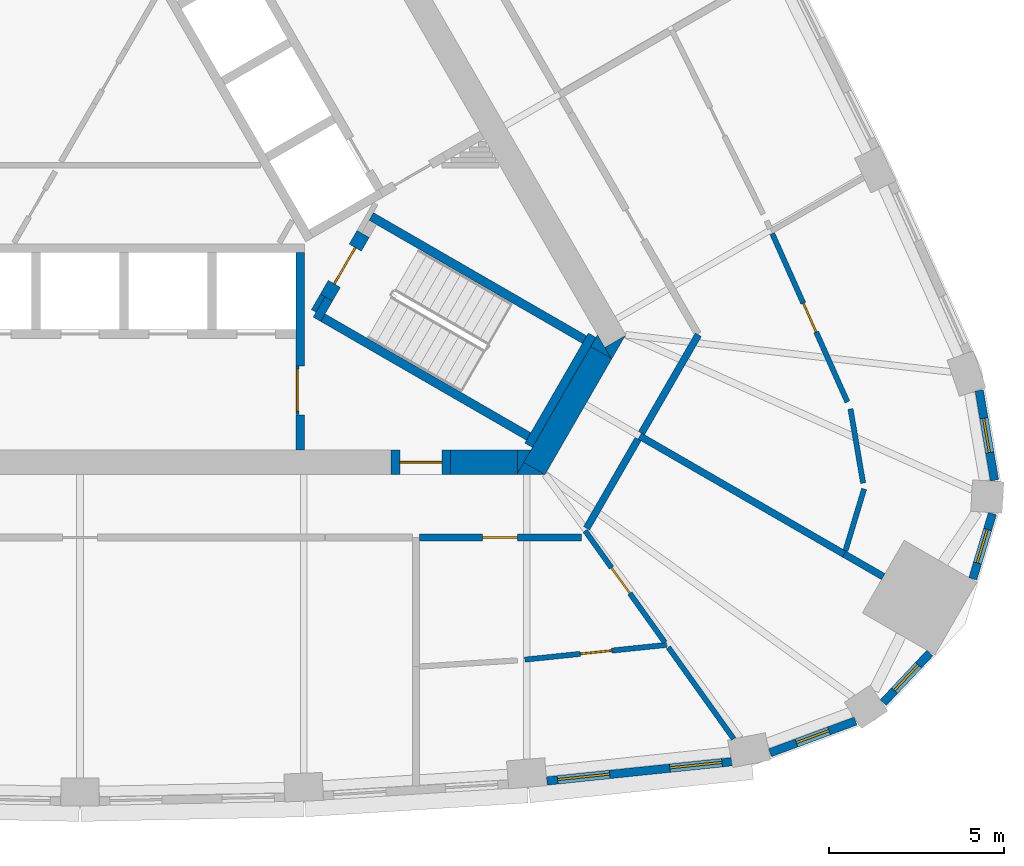
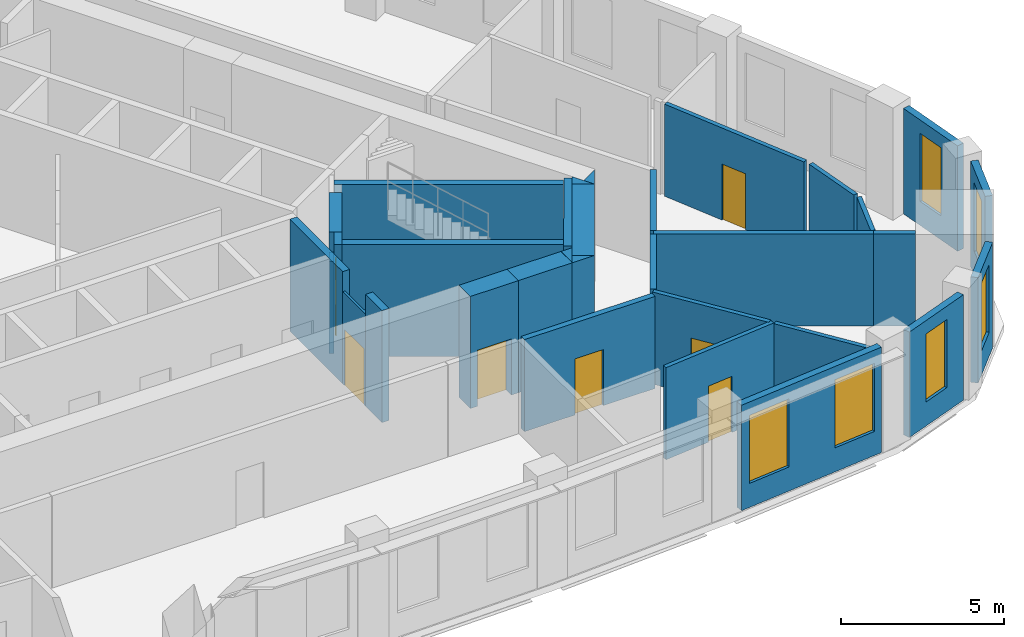
# One storey, part 6 of 10: 32 walls, 7 doors, 6 windows, 13 openings.
"""IFC4 building model written with IfcOpenShell, lengths in metres."""

from ifc_helpers import new_model, si_unit, direction, frame, frame_2d, origin, place, context, subcontext, project, spatial, polyline, rectangle, outline, extrude, material, layer, layer_set, type_object, element, fill, save


model = new_model("IFC4")

# Units and contexts
model_context = context("Model", 3, precision=1e-05, world=origin(), true_north=direction((0.0, 1.0)))
body_context = subcontext(model_context, "Body", "Model", "MODEL_VIEW")
ifc_project = project(units=[si_unit("LENGTHUNIT", "METRE"), si_unit("AREAUNIT", "SQUARE_METRE"), si_unit("VOLUMEUNIT", "CUBIC_METRE"), si_unit("PLANEANGLEUNIT", "RADIAN"), si_unit("MASSUNIT", "GRAM", prefix="KILO")], contexts=[model_context])

# Site, building, storey
site_placement = place(None, origin())
site = spatial("IfcSite", under=ifc_project, at=site_placement, CompositionType="ELEMENT")
building_placement = place(site_placement, origin())
building = spatial("IfcBuilding", under=site, at=building_placement, Name="Mestral Congress Tower", CompositionType="ELEMENT")
storey_placement = place(building_placement, frame((0.0, 0.0, 247.800048828125)))
storey = spatial("IfcBuildingStorey", under=building, at=storey_placement, Name="L58", CompositionType="ELEMENT", Elevation=247.800048828125)

# Wall
ifc_material_1 = material(Name="Fire-rated board partition")
ifc_layer_1 = layer(ifc_material_1, 0.14990234375)
ifc_layer_set_1 = layer_set([ifc_layer_1], Name="Fire-rated board partition")
wall_type_1 = type_object("IfcWallType", Name="Core partition 150", PredefinedType="PARTITIONING", material=ifc_layer_set_1)
wall_1_placement = place(storey_placement, frame((6.94482421875, -5.22216796875, 0.0), z_axis=(0.0, 0.0, 1.0), x_axis=(-0.499818422106, -0.866130212453, 0.0)))
element("IfcWall", 1, at=wall_1_placement, inside=storey, type_object=wall_type_1, Name="L58 core wall", PredefinedType="PARTITIONING", context=body_context, shape_type="SweptSolid", body=[
    extrude(rectangle(XDim=0.513916015625, YDim=0.14990234375, at=frame_2d((0.2568359375, 0.0))), origin(), (0.0, 0.0, 1.0), 3.449951171875),
])

# Wall, opening, door
ifc_layer_2 = layer(ifc_material_1, 0.090087890625)
ifc_layer_set_2 = layer_set([ifc_layer_2], Name="Fire-rated board partition")
wall_type_2 = type_object("IfcWallType", Name="Core partition 150 door-wall 90", PredefinedType="PARTITIONING", material=ifc_layer_set_2)
wall_2_placement = place(storey_placement, frame((6.219970703125, -7.23681640625, 0.0), z_axis=(0.0, 0.0, 1.0), x_axis=(0.0, -1.0, 0.0)))
wall_2 = element("IfcWall", 2, at=wall_2_placement, inside=storey, type_object=wall_type_2, Name="L58 door wall", PredefinedType="PARTITIONING", context=body_context, shape_type="SweptSolid", body=[
    extrude(rectangle(XDim=1.400146484375, YDim=0.090087890625, at=frame_2d((0.7001953125, 0.0))), origin(), (0.0, 0.0, 1.0), 3.449951171875),
])
opening_1_placement = place(wall_2_placement, frame((0.10009765625, 0.0, 0.0)))
opening_1 = element("IfcOpeningElement", 3, at=opening_1_placement, cuts=wall_2, Name="Opening LB0-WL1", PredefinedType="OPENING", context=body_context, shape_type="SweptSolid", body=[
    extrude(rectangle(XDim=1.199951171875, YDim=2.10009765625, at=frame_2d((0.60009765625, 1.050048828125))), frame((0.0, 0.054931640625, 0.0), z_axis=(0.0, -1.0, 0.0), x_axis=(1.0, 0.0, 0.0)), (0.0, 0.0, 1.0), 0.110107421875),
])
ifc_material_2 = material(Name="Fire-rated steel door set", Category="steel")
door_type_1 = type_object("IfcDoorType", Name="Core door LB 1200x2100", OperationType="SINGLE_SWING_LEFT", PredefinedType="DOOR", material=ifc_material_2)
door_1_placement = place(opening_1_placement, origin())
door_1 = element("IfcDoor", 4, at=door_1_placement, inside=storey, type_object=door_type_1, Name="Door LB0-WL1", OperationType="SINGLE_SWING_LEFT", OverallHeight=2.10009765625, OverallWidth=1.199951171875, PredefinedType="DOOR", context=body_context, shape_type="SweptSolid", body=[
    extrude(rectangle(XDim=1.199951171875, YDim=2.10009765625, at=frame_2d((0.60009765625, 1.050048828125))), frame((0.0, 0.02490234375, 0.0), z_axis=(0.0, -1.0, 0.0), x_axis=(1.0, 0.0, 0.0)), (0.0, 0.0, 1.0), 0.050048828125),
])
fill(opening_1, door_1)

# Walls
ifc_material_3 = material(Name="Concrete C60/75", Category="concrete")
ifc_layer_3 = layer(ifc_material_3, 0.699951171875)
ifc_layer_set_3 = layer_set([ifc_layer_3], Name="Concrete C60/75")
wall_type_3 = type_object("IfcWallType", Name="Core wall RC 700", PredefinedType="SOLIDWALL", material=ifc_layer_set_3)
placement = place(storey_placement, origin())
element("IfcWall", 5, at=placement, inside=storey, type_object=wall_type_3, Name="L58 core wall", PredefinedType="SOLIDWALL", context=body_context, shape_type="SweptSolid", body=[
    extrude(outline(polyline([(15.213134765625, -7.050048828125), (15.019287109375, -6.714111328125), (15.60107421875, -6.3779296875), (15.213134765625, -7.050048828125)])), origin(), (0.0, 0.0, 1.0), 4.199951171875),
])
wall_4_placement = place(storey_placement, frame((13.002685546875, -10.1787109375, 0.0), z_axis=(0.0, 0.0, 1.0), x_axis=(0.499972675833, 0.866041178825, 0.0)))
element("IfcWall", 6, at=wall_4_placement, inside=storey, type_object=wall_type_3, Name="L58 core wall", PredefinedType="SOLIDWALL", context=body_context, shape_type="SweptSolid", body=[
    extrude(rectangle(XDim=3.828857421875, YDim=0.699951171875, at=frame_2d((1.91455078125, 0.0))), origin(), (0.0, 0.0, 1.0), 4.199951171875),
])
element("IfcWall", 7, at=placement, inside=storey, type_object=wall_type_3, Name="L58 core wall", PredefinedType="SOLIDWALL", context=body_context, shape_type="SweptSolid", body=[
    extrude(outline(polyline([(12.49951171875, -10.35009765625), (12.698486328125, -10.00537109375), (13.295654296875, -10.35009765625), (12.49951171875, -10.35009765625)])), origin(), (0.0, 0.0, 1.0), 4.199951171875),
])
element("IfcWall", 8, at=placement, inside=storey, type_object=wall_type_3, Name="L58 core wall", PredefinedType="SOLIDWALL", context=body_context, shape_type="SweptSolid", body=[
    extrude(outline(polyline([(14.80908203125, -6.35009765625), (15.197265625, -7.022216796875), (14.614990234375, -6.68603515625), (14.80908203125, -6.35009765625)])), origin(), (0.0, 0.0, 1.0), 4.199951171875),
])
wall_7_placement = place(storey_placement, frame((10.6044921875, -10.0, 0.0), z_axis=(0.0, 0.0, 1.0), x_axis=(1.0, 0.0, 0.0)))
element("IfcWall", 9, at=wall_7_placement, inside=storey, type_object=wall_type_3, Name="L58 core wall", PredefinedType="SOLIDWALL", context=body_context, shape_type="SweptSolid", body=[
    extrude(rectangle(XDim=1.909423828125, YDim=0.699951171875, at=frame_2d((0.95458984375, 0.0))), origin(), (0.0, 0.0, 1.0), 4.199951171875),
])
element("IfcWall", 10, at=placement, inside=storey, type_object=wall_type_3, Name="L58 core wall", PredefinedType="SOLIDWALL", context=body_context, shape_type="SweptSolid", body=[
    extrude(outline(polyline([(12.90380859375, -9.64990234375), (12.515869140625, -10.322021484375), (12.515869140625, -9.64990234375), (12.90380859375, -9.64990234375)])), origin(), (0.0, 0.0, 1.0), 4.199951171875),
])

# Wall, opening, door
wall_9_placement = place(storey_placement, frame((10.6044921875, -10.0, 0.0), z_axis=(0.0, 0.0, 1.0), x_axis=(-1.0, 0.0, 0.0)))
wall_9 = element("IfcWall", 11, at=wall_9_placement, inside=storey, type_object=wall_type_3, Name="L58 door wall", PredefinedType="SOLIDWALL", context=body_context, shape_type="SweptSolid", body=[
    extrude(rectangle(XDim=1.699951171875, YDim=0.699951171875, at=frame_2d((0.85009765625, 0.0))), origin(), (0.0, 0.0, 1.0), 4.199951171875),
])
opening_2_placement = place(wall_9_placement, frame((0.25, 0.0, 0.0)))
opening_2 = element("IfcOpeningElement", 12, at=opening_2_placement, cuts=wall_9, Name="Opening XD1", PredefinedType="OPENING", context=body_context, shape_type="SweptSolid", body=[
    extrude(rectangle(XDim=1.199951171875, YDim=2.10009765625, at=frame_2d((0.60009765625, 1.050048828125))), frame((0.0, 0.35986328125, 0.0), z_axis=(0.0, -1.0, 0.0), x_axis=(1.0, 0.0, 0.0)), (0.0, 0.0, 1.0), 0.719970703125),
])
door_type_2 = type_object("IfcDoorType", Name="Core door XD 1200x2100", OperationType="SINGLE_SWING_LEFT", PredefinedType="DOOR", material=ifc_material_2)
door_2_placement = place(opening_2_placement, origin())
door_2 = element("IfcDoor", 13, at=door_2_placement, inside=storey, type_object=door_type_2, Name="Door XD1", OperationType="SINGLE_SWING_LEFT", OverallHeight=2.10009765625, OverallWidth=1.199951171875, PredefinedType="DOOR", context=body_context, shape_type="SweptSolid", body=[
    extrude(rectangle(XDim=1.199951171875, YDim=2.10009765625, at=frame_2d((0.60009765625, 1.050048828125))), frame((0.0, 0.02490234375, 0.0), z_axis=(0.0, -1.0, 0.0), x_axis=(1.0, 0.0, 0.0)), (0.0, 0.0, 1.0), 0.050048828125),
])
fill(opening_2, door_2)

# Wall, openings, windows
ifc_material_4 = material(Name="Precast concrete C40/50 with limestone facing", Category="masonry")
ifc_layer_4 = layer(ifc_material_4, 0.239990234375)
ifc_layer_set_4 = layer_set([ifc_layer_4], Name="Precast concrete C40/50 with limestone facing")
wall_type_4 = type_object("IfcWallType", Name="Facade stone wall 240", PredefinedType="SOLIDWALL", material=ifc_layer_set_4)
wall_10_placement = place(storey_placement, frame((13.362060546875, -19.12109375, 0.0), z_axis=(0.0, 0.0, 1.0), x_axis=(0.994621961215, 0.103571976272, 0.0)))
wall_10 = element("IfcWall", 14, at=wall_10_placement, inside=storey, type_object=wall_type_4, Name="Facade wall F0-05", PredefinedType="SOLIDWALL", context=body_context, shape_type="SweptSolid", body=[
    extrude(rectangle(XDim=5.310791015625, YDim=0.239990234375, at=frame_2d((2.6552734375, 0.0))), origin(), (0.0, 0.0, 1.0), 3.949951171875),
])
opening_3_placement = place(wall_10_placement, frame((0.306396484375, 0.0, 0.89990234375)))
opening_3 = element("IfcOpeningElement", 15, at=opening_3_placement, cuts=wall_10, Name="Opening W4", PredefinedType="OPENING", context=body_context, shape_type="SweptSolid", body=[
    extrude(rectangle(XDim=1.5, YDim=2.550048828125, at=frame_2d((0.75, 1.27490234375))), frame((0.0, 0.1298828125, 0.0), z_axis=(0.0, -1.0, 0.0), x_axis=(1.0, 0.0, 0.0)), (0.0, 0.0, 1.0), 0.260009765625),
])
opening_4_placement = place(wall_10_placement, frame((3.539306640625, 0.0, 0.89990234375)))
opening_4 = element("IfcOpeningElement", 16, at=opening_4_placement, cuts=wall_10, Name="Opening W4", PredefinedType="OPENING", context=body_context, shape_type="SweptSolid", body=[
    extrude(rectangle(XDim=1.5, YDim=2.550048828125, at=frame_2d((0.75, 1.27490234375))), frame((0.0, 0.1298828125, 0.0), z_axis=(0.0, -1.0, 0.0), x_axis=(1.0, 0.0, 0.0)), (0.0, 0.0, 1.0), 0.260009765625),
])
ifc_material_5 = material(Name="Clear low-emissivity double glazing", Category="glass")
window_type_1 = type_object("IfcWindowType", Name="Facade punched window 1500 x 2550 sill 900", PartitioningType="SINGLE_PANEL", PredefinedType="WINDOW", material=ifc_material_5)
window_1_placement = place(opening_3_placement, origin())
window_1 = element("IfcWindow", 17, at=window_1_placement, inside=storey, type_object=window_type_1, Name="Window F0-05a", OverallHeight=2.550048828125, OverallWidth=1.5, PartitioningType="SINGLE_PANEL", PredefinedType="WINDOW", context=body_context, shape_type="SweptSolid", body=[
    extrude(rectangle(XDim=1.5, YDim=2.550048828125, at=frame_2d((0.75, 1.27490234375))), frame((0.0, 0.0400390625, 0.0), z_axis=(0.0, -1.0, 0.0), x_axis=(1.0, 0.0, 0.0)), (0.0, 0.0, 1.0), 0.06005859375),
])
fill(opening_3, window_1)
window_2_placement = place(opening_4_placement, origin())
window_2 = element("IfcWindow", 18, at=window_2_placement, inside=storey, type_object=window_type_1, Name="Window F0-05b", OverallHeight=2.550048828125, OverallWidth=1.5, PartitioningType="SINGLE_PANEL", PredefinedType="WINDOW", context=body_context, shape_type="SweptSolid", body=[
    extrude(rectangle(XDim=1.5, YDim=2.550048828125, at=frame_2d((0.75, 1.27490234375))), frame((0.0, 0.0400390625, 0.0), z_axis=(0.0, -1.0, 0.0), x_axis=(1.0, 0.0, 0.0)), (0.0, 0.0, 1.0), 0.06005859375),
])
fill(opening_4, window_2)

# Wall, opening, window
wall_11_placement = place(storey_placement, frame((19.747802734375, -18.31396484375, 0.0), z_axis=(0.0, 0.0, 1.0), x_axis=(0.937569171184, 0.347798863203, 0.0)))
wall_11 = element("IfcWall", 19, at=wall_11_placement, inside=storey, type_object=wall_type_4, Name="Facade wall K0-0", PredefinedType="SOLIDWALL", context=body_context, shape_type="SweptSolid", body=[
    extrude(rectangle(XDim=2.609130859375, YDim=0.239990234375, at=frame_2d((1.3046875, 0.0))), origin(), (0.0, 0.0, 1.0), 3.949951171875),
])
opening_5_placement = place(wall_11_placement, frame((0.8046875, 0.0, 0.89990234375)))
opening_5 = element("IfcOpeningElement", 20, at=opening_5_placement, cuts=wall_11, Name="Opening W5", PredefinedType="OPENING", context=body_context, shape_type="SweptSolid", body=[
    extrude(rectangle(XDim=1.0, YDim=2.550048828125, at=frame_2d((0.5, 1.27490234375))), frame((0.0, 0.1298828125, 0.0), z_axis=(0.0, -1.0, 0.0), x_axis=(1.0, 0.0, 0.0)), (0.0, 0.0, 1.0), 0.260009765625),
])
window_type_2 = type_object("IfcWindowType", Name="Facade punched window 1000 x 2550 sill 900", PartitioningType="SINGLE_PANEL", PredefinedType="WINDOW", material=ifc_material_5)
window_3_placement = place(opening_5_placement, origin())
window_3 = element("IfcWindow", 21, at=window_3_placement, inside=storey, type_object=window_type_2, Name="Window K0-0", OverallHeight=2.550048828125, OverallWidth=1.0, PartitioningType="SINGLE_PANEL", PredefinedType="WINDOW", context=body_context, shape_type="SweptSolid", body=[
    extrude(rectangle(XDim=1.0, YDim=2.550048828125, at=frame_2d((0.5, 1.27490234375))), frame((0.0, 0.0400390625, 0.0), z_axis=(0.0, -1.0, 0.0), x_axis=(1.0, 0.0, 0.0)), (0.0, 0.0, 1.0), 0.06005859375),
])
fill(opening_5, window_3)

wall_12_placement = place(storey_placement, frame((22.989013671875, -16.87890625, 0.0), z_axis=(0.0, 0.0, 1.0), x_axis=(0.684770274166, 0.728758994194, 0.0)))
wall_12 = element("IfcWall", 22, at=wall_12_placement, inside=storey, type_object=wall_type_4, Name="Facade wall K0-1", PredefinedType="SOLIDWALL", context=body_context, shape_type="SweptSolid", body=[
    extrude(rectangle(XDim=1.947998046875, YDim=0.239990234375, at=frame_2d((0.97412109375, 0.0))), origin(), (0.0, 0.0, 1.0), 3.949951171875),
])
opening_6_placement = place(wall_12_placement, frame((0.47412109375, 0.0, 0.89990234375)))
opening_6 = element("IfcOpeningElement", 23, at=opening_6_placement, cuts=wall_12, Name="Opening W5", PredefinedType="OPENING", context=body_context, shape_type="SweptSolid", body=[
    extrude(rectangle(XDim=1.0, YDim=2.550048828125, at=frame_2d((0.5, 1.27490234375))), frame((0.0, 0.1298828125, 0.0), z_axis=(0.0, -1.0, 0.0), x_axis=(1.0, 0.0, 0.0)), (0.0, 0.0, 1.0), 0.260009765625),
])
window_4_placement = place(opening_6_placement, origin())
window_4 = element("IfcWindow", 24, at=window_4_placement, inside=storey, type_object=window_type_2, Name="Window K0-1", OverallHeight=2.550048828125, OverallWidth=1.0, PartitioningType="SINGLE_PANEL", PredefinedType="WINDOW", context=body_context, shape_type="SweptSolid", body=[
    extrude(rectangle(XDim=1.0, YDim=2.550048828125, at=frame_2d((0.5, 1.27490234375))), frame((0.0, 0.0400390625, 0.0), z_axis=(0.0, -1.0, 0.0), x_axis=(1.0, 0.0, 0.0)), (0.0, 0.0, 1.0), 0.06005859375),
])
fill(opening_6, window_4)

wall_13_placement = place(storey_placement, frame((25.5498046875, -13.334716796875, 0.0), z_axis=(0.0, 0.0, 1.0), x_axis=(0.288727209095, 0.957411405159, 0.0)))
wall_13 = element("IfcWall", 25, at=wall_13_placement, inside=storey, type_object=wall_type_4, Name="Facade wall K0-2", PredefinedType="SOLIDWALL", context=body_context, shape_type="SweptSolid", body=[
    extrude(rectangle(XDim=1.9482421875, YDim=0.239990234375, at=frame_2d((0.97412109375, 0.0))), origin(), (0.0, 0.0, 1.0), 3.949951171875),
])
opening_7_placement = place(wall_13_placement, frame((0.47412109375, 0.0, 0.89990234375)))
opening_7 = element("IfcOpeningElement", 26, at=opening_7_placement, cuts=wall_13, Name="Opening W5", PredefinedType="OPENING", context=body_context, shape_type="SweptSolid", body=[
    extrude(rectangle(XDim=1.0, YDim=2.550048828125, at=frame_2d((0.5, 1.27490234375))), frame((0.0, 0.1298828125, 0.0), z_axis=(0.0, -1.0, 0.0), x_axis=(1.0, 0.0, 0.0)), (0.0, 0.0, 1.0), 0.260009765625),
])
window_5_placement = place(opening_7_placement, origin())
window_5 = element("IfcWindow", 27, at=window_5_placement, inside=storey, type_object=window_type_2, Name="Window K0-2", OverallHeight=2.550048828125, OverallWidth=1.0, PartitioningType="SINGLE_PANEL", PredefinedType="WINDOW", context=body_context, shape_type="SweptSolid", body=[
    extrude(rectangle(XDim=1.0, YDim=2.550048828125, at=frame_2d((0.5, 1.27490234375))), frame((0.0, 0.0400390625, 0.0), z_axis=(0.0, -1.0, 0.0), x_axis=(1.0, 0.0, 0.0)), (0.0, 0.0, 1.0), 0.06005859375),
])
fill(opening_7, window_5)

wall_14_placement = place(storey_placement, frame((26.171630859375, -10.517333984375, 0.0), z_axis=(0.0, 0.0, 1.0), x_axis=(-0.167660055546, 0.985844869021, 0.0)))
wall_14 = element("IfcWall", 28, at=wall_14_placement, inside=storey, type_object=wall_type_4, Name="Facade wall K0-3", PredefinedType="SOLIDWALL", context=body_context, shape_type="SweptSolid", body=[
    extrude(rectangle(XDim=2.609375, YDim=0.239990234375, at=frame_2d((1.3046875, 0.0))), origin(), (0.0, 0.0, 1.0), 3.949951171875),
])
opening_8_placement = place(wall_14_placement, frame((0.8046875, 0.0, 0.89990234375)))
opening_8 = element("IfcOpeningElement", 29, at=opening_8_placement, cuts=wall_14, Name="Opening W5", PredefinedType="OPENING", context=body_context, shape_type="SweptSolid", body=[
    extrude(rectangle(XDim=1.0, YDim=2.550048828125, at=frame_2d((0.5, 1.27490234375))), frame((0.0, 0.1298828125, 0.0), z_axis=(0.0, -1.0, 0.0), x_axis=(1.0, 0.0, 0.0)), (0.0, 0.0, 1.0), 0.260009765625),
])
window_6_placement = place(opening_8_placement, origin())
window_6 = element("IfcWindow", 30, at=window_6_placement, inside=storey, type_object=window_type_2, Name="Window K0-3", OverallHeight=2.550048828125, OverallWidth=1.0, PartitioningType="SINGLE_PANEL", PredefinedType="WINDOW", context=body_context, shape_type="SweptSolid", body=[
    extrude(rectangle(XDim=1.0, YDim=2.550048828125, at=frame_2d((0.5, 1.27490234375))), frame((0.0, 0.0400390625, 0.0), z_axis=(0.0, -1.0, 0.0), x_axis=(1.0, 0.0, 0.0)), (0.0, 0.0, 1.0), 0.06005859375),
])
fill(opening_8, window_6)

# Wall, opening, door
ifc_material_6 = material(Name="Plasterboard partition on steel studs", Category="steel")
ifc_layer_5 = layer(ifc_material_6, 0.14990234375)
ifc_layer_set_5 = layer_set([ifc_layer_5], Name="Plasterboard partition on steel studs")
wall_type_5 = type_object("IfcWallType", Name="Office partition 150", PredefinedType="PARTITIONING", material=ifc_layer_set_5)
wall_15_placement = place(storey_placement, frame((16.788330078125, -15.225341796875, 0.0), z_axis=(0.0, 0.0, 1.0), x_axis=(-0.994622518406, -0.103566625322, 0.0)))
wall_15 = element("IfcWall", 31, at=wall_15_placement, inside=storey, type_object=wall_type_5, Name="Partition", PredefinedType="PARTITIONING", context=body_context, shape_type="SweptSolid", body=[
    extrude(rectangle(XDim=4.08056640625, YDim=0.14990234375, at=frame_2d((2.040283203125, 0.0))), origin(), (0.0, 0.0, 1.0), 3.449951171875),
])
opening_9_placement = place(wall_15_placement, frame((1.58056640625, 0.0, 0.0)))
opening_9 = element("IfcOpeningElement", 32, at=opening_9_placement, cuts=wall_15, Name="Opening O09-002", PredefinedType="OPENING", context=body_context, shape_type="SweptSolid", body=[
    extrude(rectangle(XDim=0.89990234375, YDim=2.10009765625, at=frame_2d((0.449951171875, 1.050048828125))), frame((0.0, 0.0849609375, 0.0), z_axis=(0.0, -1.0, 0.0), x_axis=(1.0, 0.0, 0.0)), (0.0, 0.0, 1.0), 0.169921875),
])
ifc_material_7 = material(Name="Timber door set", Category="wood")
door_type_3 = type_object("IfcDoorType", Name="Office door 900x2100", OperationType="SINGLE_SWING_LEFT", PredefinedType="DOOR", material=ifc_material_7)
door_3_placement = place(opening_9_placement, origin())
door_3 = element("IfcDoor", 33, at=door_3_placement, inside=storey, type_object=door_type_3, Name="Door O09-002", OperationType="SINGLE_SWING_LEFT", OverallHeight=2.10009765625, OverallWidth=0.89990234375, PredefinedType="DOOR", context=body_context, shape_type="SweptSolid", body=[
    extrude(rectangle(XDim=0.89990234375, YDim=2.10009765625, at=frame_2d((0.449951171875, 1.050048828125))), frame((0.0, 0.02490234375, 0.0), z_axis=(0.0, -1.0, 0.0), x_axis=(1.0, 0.0, 0.0)), (0.0, 0.0, 1.0), 0.050048828125),
])
fill(opening_9, door_3)

# Wall
wall_16_placement = place(storey_placement, frame((16.83837890625, -15.29541015625, 0.0), z_axis=(0.0, 0.0, 1.0), x_axis=(0.581015803238, -0.813892275666, 0.0)))
element("IfcWall", 34, at=wall_16_placement, inside=storey, type_object=wall_type_5, Name="Partition", PredefinedType="PARTITIONING", context=body_context, shape_type="SweptSolid", body=[
    extrude(rectangle(XDim=3.219482421875, YDim=0.14990234375, at=frame_2d((1.60986328125, 0.0))), origin(), (0.0, 0.0, 1.0), 3.449951171875),
])

# Wall, opening, door
wall_17_placement = place(storey_placement, frame((14.45703125, -11.959716796875, 0.0), z_axis=(0.0, 0.0, 1.0), x_axis=(0.581049944662, -0.81386790194, 0.0)))
wall_17 = element("IfcWall", 35, at=wall_17_placement, inside=storey, type_object=wall_type_5, Name="Partition", PredefinedType="PARTITIONING", context=body_context, shape_type="SweptSolid", body=[
    extrude(rectangle(XDim=3.926025390625, YDim=0.14990234375, at=frame_2d((1.962890625, 0.0))), origin(), (0.0, 0.0, 1.0), 3.449951171875),
])
opening_10_placement = place(wall_17_placement, frame((1.300048828125, 0.0, 0.0)))
opening_10 = element("IfcOpeningElement", 36, at=opening_10_placement, cuts=wall_17, Name="Opening O09-004", PredefinedType="OPENING", context=body_context, shape_type="SweptSolid", body=[
    extrude(rectangle(XDim=0.89990234375, YDim=2.10009765625, at=frame_2d((0.449951171875, 1.050048828125))), frame((0.0, 0.0849609375, 0.0), z_axis=(0.0, -1.0, 0.0), x_axis=(1.0, 0.0, 0.0)), (0.0, 0.0, 1.0), 0.169921875),
])
door_4_placement = place(opening_10_placement, origin())
door_4 = element("IfcDoor", 37, at=door_4_placement, inside=storey, type_object=door_type_3, Name="Door O09-004", OperationType="SINGLE_SWING_LEFT", OverallHeight=2.10009765625, OverallWidth=0.89990234375, PredefinedType="DOOR", context=body_context, shape_type="SweptSolid", body=[
    extrude(rectangle(XDim=0.89990234375, YDim=2.10009765625, at=frame_2d((0.449951171875, 1.050048828125))), frame((0.0, 0.02490234375, 0.0), z_axis=(0.0, -1.0, 0.0), x_axis=(1.0, 0.0, 0.0)), (0.0, 0.0, 1.0), 0.050048828125),
])
fill(opening_10, door_4)

# Walls
wall_18_placement = place(storey_placement, frame((21.90625, -12.531982421875, 0.0), z_axis=(0.0, 0.0, 1.0), x_axis=(0.288789848591, 0.957392512688, 0.0)))
element("IfcWall", 38, at=wall_18_placement, inside=storey, type_object=wall_type_5, Name="Partition", PredefinedType="PARTITIONING", context=body_context, shape_type="SweptSolid", body=[
    extrude(rectangle(XDim=1.84814453125, YDim=0.14990234375, at=frame_2d((0.924072265625, 0.0))), origin(), (0.0, 0.0, 1.0), 3.449951171875),
])
wall_19_placement = place(storey_placement, frame((22.41162109375, -10.5966796875, 0.0), z_axis=(0.0, 0.0, 1.0), x_axis=(-0.167612004459, 0.985853039738, 0.0)))
element("IfcWall", 39, at=wall_19_placement, inside=storey, type_object=wall_type_5, Name="Partition", PredefinedType="PARTITIONING", context=body_context, shape_type="SweptSolid", body=[
    extrude(rectangle(XDim=2.15576171875, YDim=0.14990234375, at=frame_2d((1.077880859375, 0.0))), origin(), (0.0, 0.0, 1.0), 3.449951171875),
])

# Wall, opening, door
wall_20_placement = place(storey_placement, frame((19.81103515625, -3.455078125, 0.0), z_axis=(0.0, 0.0, 1.0), x_axis=(0.407605393886, -0.913158169692, 0.0)))
wall_20 = element("IfcWall", 40, at=wall_20_placement, inside=storey, type_object=wall_type_5, Name="Partition", PredefinedType="PARTITIONING", context=body_context, shape_type="SweptSolid", body=[
    extrude(rectangle(XDim=5.279296875, YDim=0.14990234375, at=frame_2d((2.6396484375, 0.0))), origin(), (0.0, 0.0, 1.0), 3.449951171875),
])
opening_11_placement = place(wall_20_placement, frame((2.179443359375, 0.0, 0.0)))
opening_11 = element("IfcOpeningElement", 41, at=opening_11_placement, cuts=wall_20, Name="Opening O09-005", PredefinedType="OPENING", context=body_context, shape_type="SweptSolid", body=[
    extrude(rectangle(XDim=0.89990234375, YDim=2.10009765625, at=frame_2d((0.449951171875, 1.050048828125))), frame((0.0, 0.0849609375, 0.0), z_axis=(0.0, -1.0, 0.0), x_axis=(1.0, 0.0, 0.0)), (0.0, 0.0, 1.0), 0.169921875),
])
door_5_placement = place(opening_11_placement, origin())
door_5 = element("IfcDoor", 42, at=door_5_placement, inside=storey, type_object=door_type_3, Name="Door O09-005", OperationType="SINGLE_SWING_LEFT", OverallHeight=2.10009765625, OverallWidth=0.89990234375, PredefinedType="DOOR", context=body_context, shape_type="SweptSolid", body=[
    extrude(rectangle(XDim=0.89990234375, YDim=2.10009765625, at=frame_2d((0.449951171875, 1.050048828125))), frame((0.0, 0.02490234375, 0.0), z_axis=(0.0, -1.0, 0.0), x_axis=(1.0, 0.0, 0.0)), (0.0, 0.0, 1.0), 0.050048828125),
])
fill(opening_11, door_5)

ifc_material_8 = material(Name="Dense masonry wall, plastered", Category="masonry")
ifc_layer_6 = layer(ifc_material_8, 0.199951171875)
ifc_layer_set_6 = layer_set([ifc_layer_6], Name="Dense masonry wall, plastered")
wall_type_6 = type_object("IfcWallType", Name="Office tenancy wall 200", PredefinedType="PARTITIONING", material=ifc_layer_set_6)
wall_21_placement = place(storey_placement, frame((9.7197265625, -12.14990234375, 0.0), z_axis=(0.0, 0.0, 1.0), x_axis=(1.0, 0.0, 0.0)))
wall_21 = element("IfcWall", 43, at=wall_21_placement, inside=storey, type_object=wall_type_6, Name="Tenancy wall", PredefinedType="PARTITIONING", context=body_context, shape_type="SweptSolid", body=[
    extrude(rectangle(XDim=4.62744140625, YDim=0.199951171875, at=frame_2d((2.313720703125, 0.0))), origin(), (0.0, 0.0, 1.0), 3.449951171875),
])
opening_12_placement = place(wall_21_placement, frame((1.800048828125, 0.0, 0.0)))
opening_12 = element("IfcOpeningElement", 44, at=opening_12_placement, cuts=wall_21, Name="Opening O09-003", PredefinedType="OPENING", context=body_context, shape_type="SweptSolid", body=[
    extrude(rectangle(XDim=1.0, YDim=2.10009765625, at=frame_2d((0.5, 1.050048828125))), frame((0.0, 0.10986328125, 0.0), z_axis=(0.0, -1.0, 0.0), x_axis=(1.0, 0.0, 0.0)), (0.0, 0.0, 1.0), 0.219970703125),
])
ifc_material_9 = material(Name="Fire-rated timber door set", Category="wood")
door_type_4 = type_object("IfcDoorType", Name="Office tenancy entrance door 1000x2100", OperationType="SINGLE_SWING_LEFT", PredefinedType="DOOR", material=ifc_material_9)
door_6_placement = place(opening_12_placement, origin())
door_6 = element("IfcDoor", 45, at=door_6_placement, inside=storey, type_object=door_type_4, Name="Door O09-003", OperationType="SINGLE_SWING_LEFT", OverallHeight=2.10009765625, OverallWidth=1.0, PredefinedType="DOOR", context=body_context, shape_type="SweptSolid", body=[
    extrude(rectangle(XDim=1.0, YDim=2.10009765625, at=frame_2d((0.5, 1.050048828125))), frame((0.0, 0.02490234375, 0.0), z_axis=(0.0, -1.0, 0.0), x_axis=(1.0, 0.0, 0.0)), (0.0, 0.0, 1.0), 0.050048828125),
])
fill(opening_12, door_6)

# Walls
wall_22_placement = place(storey_placement, frame((21.873046875, -12.62841796875, 0.0), z_axis=(0.0, 0.0, 1.0), x_axis=(0.866052988967, -0.499952218018, 0.0)))
element("IfcWall", 46, at=wall_22_placement, inside=storey, type_object=wall_type_6, Name="Tenancy wall", PredefinedType="PARTITIONING", context=body_context, shape_type="SweptSolid", body=[
    extrude(rectangle(XDim=1.287841796875, YDim=0.199951171875, at=frame_2d((0.64404296875, 0.0))), origin(), (0.0, 0.0, 1.0), 3.449951171875),
])
wall_23_placement = place(storey_placement, frame((16.021484375, -9.25, 0.0), z_axis=(0.0, 0.0, 1.0), x_axis=(0.86602692059, -0.499997372806, 0.0)))
element("IfcWall", 47, at=wall_23_placement, inside=storey, type_object=wall_type_6, Name="Tenancy wall", PredefinedType="PARTITIONING", context=body_context, shape_type="SweptSolid", body=[
    extrude(rectangle(XDim=6.7646484375, YDim=0.199951171875, at=frame_2d((3.38232421875, 0.0))), origin(), (0.0, 0.0, 1.0), 3.449951171875),
])
wall_24_placement = place(storey_placement, frame((14.498291015625, -11.88818359375, 0.0), z_axis=(0.0, 0.0, 1.0), x_axis=(0.500006981563, 0.86602137294, 0.0)))
element("IfcWall", 48, at=wall_24_placement, inside=storey, type_object=wall_type_6, Name="Tenancy wall", PredefinedType="PARTITIONING", context=body_context, shape_type="SweptSolid", body=[
    extrude(rectangle(XDim=2.9462890625, YDim=0.199951171875, at=frame_2d((1.47314453125, 0.0))), origin(), (0.0, 0.0, 1.0), 3.449951171875),
])
wall_25_placement = place(storey_placement, frame((16.071533203125, -9.163330078125, 0.0), z_axis=(0.0, 0.0, 1.0), x_axis=(0.500010870188, 0.866019127788, 0.0)))
element("IfcWall", 49, at=wall_25_placement, inside=storey, type_object=wall_type_6, Name="Tenancy wall", PredefinedType="PARTITIONING", context=body_context, shape_type="SweptSolid", body=[
    extrude(rectangle(XDim=3.24853515625, YDim=0.199951171875, at=frame_2d((1.624267578125, 0.0))), origin(), (0.0, 0.0, 1.0), 3.449951171875),
])
ifc_layer_7 = layer(ifc_material_3, 0.25)
ifc_layer_set_7 = layer_set([ifc_layer_7], Name="Concrete C60/75")
wall_type_7 = type_object("IfcWallType", Name="Shaft wall RC 250", PredefinedType="SOLIDWALL", material=ifc_layer_set_7)
wall_26_placement = place(storey_placement, frame((6.300048828125, -7.239990234375, 0.0), z_axis=(0.0, 0.0, 1.0), x_axis=(0.0, 1.0, 0.0)))
element("IfcWall", 50, at=wall_26_placement, inside=storey, type_object=wall_type_7, Name="L58 core wall", PredefinedType="SOLIDWALL", context=body_context, shape_type="SweptSolid", body=[
    extrude(rectangle(XDim=3.239990234375, YDim=0.25, at=frame_2d((1.6201171875, 0.0))), origin(), (0.0, 0.0, 1.0), 4.199951171875),
])
wall_27_placement = place(storey_placement, frame((6.300048828125, -9.64990234375, 0.0), z_axis=(0.0, 0.0, 1.0), x_axis=(0.0, 1.0, 0.0)))
element("IfcWall", 51, at=wall_27_placement, inside=storey, type_object=wall_type_7, Name="L58 core wall", PredefinedType="SOLIDWALL", context=body_context, shape_type="SweptSolid", body=[
    extrude(rectangle(XDim=1.0078125, YDim=0.25, at=frame_2d((0.50390625, 0.0))), origin(), (0.0, 0.0, 1.0), 4.199951171875),
])
ifc_layer_8 = layer(ifc_material_3, 0.25)
ifc_layer_set_8 = layer_set([ifc_layer_8], Name="Concrete C60/75")
wall_type_8 = type_object("IfcWallType", Name="Stair wall RC 250", PredefinedType="SOLIDWALL", material=ifc_layer_set_8)
wall_28_placement = place(storey_placement, frame((12.839599609375, -9.510986328125, 0.0), z_axis=(0.0, 0.0, 1.0), x_axis=(0.500048121057, 0.865997619297, 0.0)))
element("IfcWall", 52, at=wall_28_placement, inside=storey, type_object=wall_type_8, Name="L58 core wall", PredefinedType="SOLIDWALL", context=body_context, shape_type="SweptSolid", body=[
    extrude(rectangle(XDim=3.634033203125, YDim=0.25, at=frame_2d((1.81689453125, 0.0))), origin(), (0.0, 0.0, 1.0), 4.199951171875),
])
wall_29_placement = place(storey_placement, frame((12.83984375, -9.2607421875, 0.0), z_axis=(0.0, 0.0, 1.0), x_axis=(-0.866013990052, 0.500019768644, 0.0)))
element("IfcWall", 53, at=wall_29_placement, inside=storey, type_object=wall_type_8, Name="L58 core wall", PredefinedType="SOLIDWALL", context=body_context, shape_type="SweptSolid", body=[
    extrude(rectangle(XDim=6.800048828125, YDim=0.25, at=frame_2d((3.39990234375, 0.0))), origin(), (0.0, 0.0, 1.0), 4.199951171875),
])
wall_30_placement = place(storey_placement, frame((6.780029296875, -5.906494140625, 0.0), z_axis=(0.0, 0.0, 1.0), x_axis=(0.500223362819, 0.865896406789, 0.0)))
element("IfcWall", 54, at=wall_30_placement, inside=storey, type_object=wall_type_8, Name="L58 core wall", PredefinedType="SOLIDWALL", context=body_context, shape_type="SweptSolid", body=[
    extrude(rectangle(XDim=0.675048828125, YDim=0.25, at=frame_2d((0.33740234375, 0.0))), origin(), (0.0, 0.0, 1.0), 4.199951171875),
])
wall_31_placement = place(storey_placement, frame((8.33447265625, -2.96435546875, 0.0), z_axis=(0.0, 0.0, 1.0), x_axis=(0.866016039709, -0.500016218704, 0.0)))
element("IfcWall", 55, at=wall_31_placement, inside=storey, type_object=wall_type_8, Name="L58 core wall", PredefinedType="SOLIDWALL", context=body_context, shape_type="SweptSolid", body=[
    extrude(rectangle(XDim=7.050048828125, YDim=0.25, at=frame_2d((3.52490234375, 0.0))), origin(), (0.0, 0.0, 1.0), 4.199951171875),
])

# Wall, opening, door
ifc_layer_9 = layer(ifc_material_3, 0.39990234375)
ifc_layer_set_9 = layer_set([ifc_layer_9], Name="Concrete C60/75")
wall_type_9 = type_object("IfcWallType", Name="Stair wall RC 250 door-wall 400", PredefinedType="SOLIDWALL", material=ifc_layer_set_9)
wall_32_placement = place(storey_placement, frame((7.052734375, -5.2841796875, 0.0), z_axis=(0.0, 0.0, 1.0), x_axis=(0.500078061341, 0.865980330357, 0.0)))
wall_32 = element("IfcWall", 56, at=wall_32_placement, inside=storey, type_object=wall_type_9, Name="L58 door wall", PredefinedType="SOLIDWALL", context=body_context, shape_type="SweptSolid", body=[
    extrude(rectangle(XDim=2.099853515625, YDim=0.39990234375, at=frame_2d((1.0498046875, 0.0))), origin(), (0.0, 0.0, 1.0), 4.199951171875),
])
opening_13_placement = place(wall_32_placement, frame((0.449951171875, 0.0, 0.0)))
opening_13 = element("IfcOpeningElement", 57, at=opening_13_placement, cuts=wall_32, Name="Opening ST-D1", PredefinedType="OPENING", context=body_context, shape_type="SweptSolid", body=[
    extrude(rectangle(XDim=1.199951171875, YDim=2.10009765625, at=frame_2d((0.60009765625, 1.050048828125))), frame((0.0, 0.2099609375, 0.0), z_axis=(0.0, -1.0, 0.0), x_axis=(1.0, 0.0, 0.0)), (0.0, 0.0, 1.0), 0.419921875),
])
door_type_5 = type_object("IfcDoorType", Name="Core door ST 1200x2100", OperationType="SINGLE_SWING_LEFT", PredefinedType="DOOR", material=ifc_material_2)
door_7_placement = place(opening_13_placement, origin())
door_7 = element("IfcDoor", 58, at=door_7_placement, inside=storey, type_object=door_type_5, Name="Door ST-D1", OperationType="SINGLE_SWING_LEFT", OverallHeight=2.10009765625, OverallWidth=1.199951171875, PredefinedType="DOOR", context=body_context, shape_type="SweptSolid", body=[
    extrude(rectangle(XDim=1.199951171875, YDim=2.10009765625, at=frame_2d((0.60009765625, 1.050048828125))), frame((0.0, 0.02490234375, 0.0), z_axis=(0.0, -1.0, 0.0), x_axis=(1.0, 0.0, 0.0)), (0.0, 0.0, 1.0), 0.050048828125),
])
fill(opening_13, door_7)

save(model, "model.ifc")
